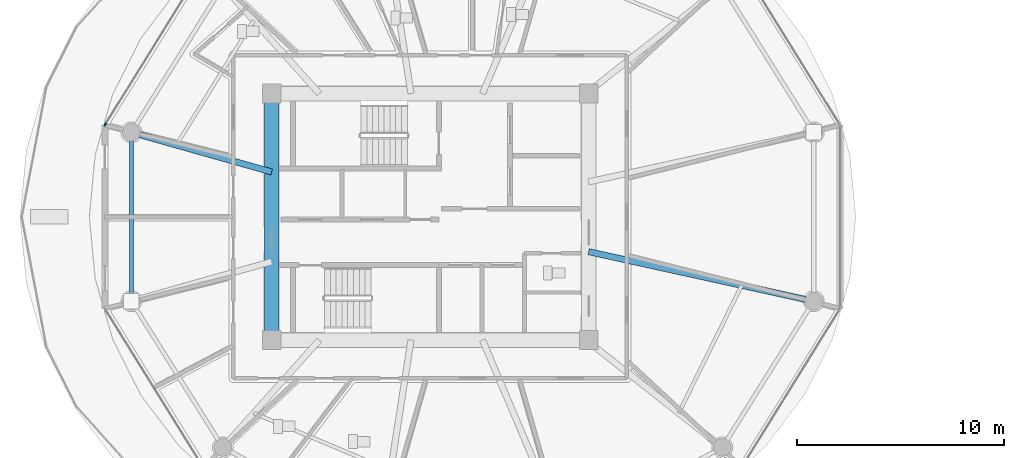
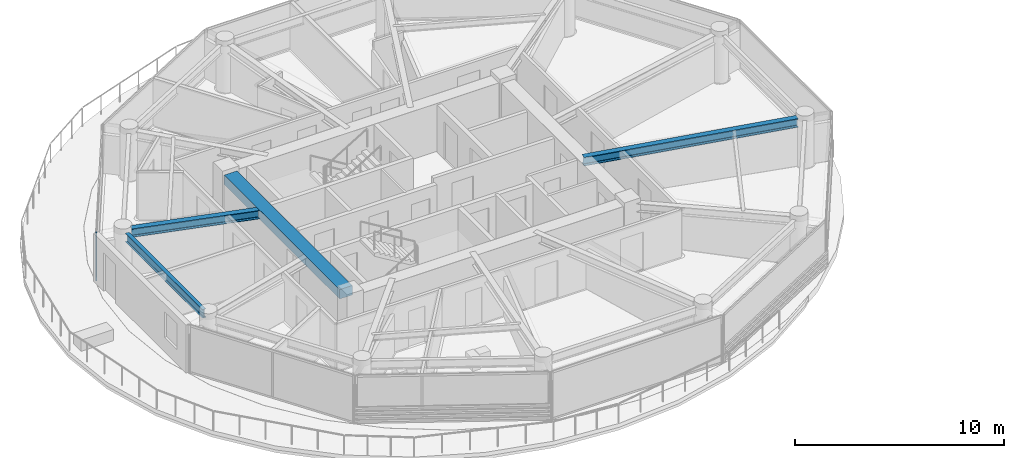
# One storey, part 3 of 32: 4 beams, 1 member, 1 element without a shape of its own.
"""IFC4 building model written with IfcOpenShell, lengths in metres."""

import ifcopenshell
import ifcopenshell.guid

model = None  # the IFC model being written
_history = None  # IfcOwnerHistory: only IFC2X3 demands one
_inside = {}  # id of a spatial element -> (the spatial element, [elements in it])
_under = {}  # id of a project, library or spatial element -> (it, [spatial elements below it])
_declared = {}  # id of a project -> (the project, [libraries it declares])
_typed = {}  # id of a type object -> (the type object, [elements of that type])
_made_of = {}  # id of a material, layer set ... -> (it, [elements and type objects made of it])


def new_model(schema):
    """Start an empty IFC model of exactly this schema.

    Asked for "IFC4X3", IfcOpenShell would pick the latest addendum, in which some entities
    have other attributes; the version numbers below select the first issue.
    IFC2X3 requires an IfcOwnerHistory on every rooted entity: one is made here for all.
    """
    global model, _history
    if schema == "IFC4X3":
        model = ifcopenshell.file(schema_version=(4, 3, 0, 0))
    else:
        model = ifcopenshell.file(schema=schema)
    _inside.clear()
    _under.clear()
    _declared.clear()
    _typed.clear()
    _made_of.clear()
    _history = None
    if model.schema == "IFC2X3":
        org = make("IfcOrganization", Name="unknown")
        user = make(
            "IfcPersonAndOrganization",
            ThePerson=make("IfcPerson", FamilyName="unknown"),
            TheOrganization=org,
        )
        app = make(
            "IfcApplication",
            ApplicationDeveloper=org,
            Version="unknown",
            ApplicationFullName="unknown",
            ApplicationIdentifier="unknown",
        )
        _history = make(
            "IfcOwnerHistory",
            OwningUser=user,
            OwningApplication=app,
            ChangeAction="ADDED",
            CreationDate=0,
        )
    return model


def make(cls, **values):
    """One entity of the class cls with the attributes given. An attribute that is None is left unset."""
    return model.create_entity(
        cls, **{name: value for name, value in values.items() if value is not None}
    )


def rooted(cls, **values):
    """An entity with a GlobalId (a new one), such as an element, a storey or a relation."""
    return make(cls, GlobalId=ifcopenshell.guid.new(), OwnerHistory=_history, **values)


def si_unit(unit_type, name, prefix=None):
    """IfcSIUnit, for example si_unit("LENGTHUNIT", "METRE", prefix="MILLI")."""
    return make("IfcSIUnit", UnitType=unit_type, Prefix=prefix, Name=name)


def assignment(units):
    """IfcUnitAssignment: the units of a project."""
    return None if units is None else make("IfcUnitAssignment", Units=units)


def point(xyz):
    """IfcCartesianPoint."""
    return None if xyz is None else make("IfcCartesianPoint", Coordinates=xyz)


def direction(xyz):
    """IfcDirection."""
    return None if xyz is None else make("IfcDirection", DirectionRatios=xyz)


def frame(location, z_axis=None, x_axis=None):
    """IfcAxis2Placement3D, a coordinate frame: its origin and axes. An axis left out is left unset."""
    return make(
        "IfcAxis2Placement3D",
        Location=point(location),
        Axis=direction(z_axis),
        RefDirection=direction(x_axis),
    )


def frame_2d(location, x_axis=None):
    """IfcAxis2Placement2D, a coordinate frame in the plane: its origin and x axis."""
    return make(
        "IfcAxis2Placement2D", Location=point(location), RefDirection=direction(x_axis)
    )


def origin():
    """The frame at (0, 0, 0) with its axes left unset."""
    return frame((0.0, 0.0, 0.0))


def origin_2d():
    """The frame at (0, 0) in the plane with its x axis left unset."""
    return frame_2d((0.0, 0.0))


def place(relative_to, where):
    """IfcLocalPlacement: puts the frame where relative to a parent placement (None: the world)."""
    return make(
        "IfcLocalPlacement", PlacementRelTo=relative_to, RelativePlacement=where
    )


def context(
    kind, dimensions, precision=None, world=None, true_north=None, identifier=None
):
    """IfcGeometricRepresentationContext, for example the 3D "Model" context."""
    return make(
        "IfcGeometricRepresentationContext",
        ContextIdentifier=identifier,
        ContextType=kind,
        CoordinateSpaceDimension=dimensions,
        Precision=precision,
        WorldCoordinateSystem=world,
        TrueNorth=true_north,
    )


def subcontext(parent, identifier, kind, view, scale=None):
    """IfcGeometricRepresentationSubContext, for example "Body" below "Model"."""
    return make(
        "IfcGeometricRepresentationSubContext",
        ContextIdentifier=identifier,
        ContextType=kind,
        ParentContext=parent,
        TargetScale=scale,
        TargetView=view,
    )


def project(units=None, contexts=None):
    """IfcProject with its units and contexts."""
    return rooted(
        "IfcProject",
        Name="project",
        RepresentationContexts=contexts,
        UnitsInContext=assignment(units),
    )


def spatial(cls, under=None, at=None, **own):
    """A site, building, storey or space (cls), placed at a placement, below another one or the project."""
    s = rooted(cls, ObjectPlacement=at, **own)
    if under is not None:
        _under.setdefault(under.id(), (under, []))[1].append(s)
    return s


def profile(cls, at=None, kind="AREA", **sizes):
    """A parametric profile (cls). Its sizes go by their IFC names, for example OverallWidth=200.0."""
    return make(cls, ProfileType=kind, Position=at, **sizes)


def rectangle(**sizes):
    """IfcRectangleProfileDef."""
    return profile("IfcRectangleProfileDef", **sizes)


def i_section(**sizes):
    """IfcIShapeProfileDef."""
    return profile("IfcIShapeProfileDef", **sizes)


def extrude(swept, where, along, depth):
    """IfcExtrudedAreaSolid: the profile swept, set in the frame where, extruded along a direction by depth."""
    return make(
        "IfcExtrudedAreaSolid",
        SweptArea=swept,
        Position=where,
        ExtrudedDirection=direction(along),
        Depth=depth,
    )


def shape(context_of_items, identifier, shape_type, items):
    """IfcShapeRepresentation: the items that make up one representation, for example the "Body"."""
    return make(
        "IfcShapeRepresentation",
        ContextOfItems=context_of_items,
        RepresentationIdentifier=identifier,
        RepresentationType=shape_type,
        Items=items,
    )


def source(mapping_origin, context_of_items, identifier, shape_type, items):
    """IfcRepresentationMap: a shape defined once, which mapped items show again and again."""
    return make(
        "IfcRepresentationMap",
        MappingOrigin=mapping_origin,
        MappedRepresentation=shape(context_of_items, identifier, shape_type, items),
    )


def transform(
    local_origin,
    x_axis=None,
    y_axis=None,
    z_axis=None,
    scale=None,
    scale2=None,
    scale3=None,
    uniform=True,
):
    """IfcCartesianTransformationOperator3D, or its non-uniform kind. x_axis, y_axis, z_axis: its Axis1, 2, 3."""
    if uniform:
        return make(
            "IfcCartesianTransformationOperator3D",
            Axis1=direction(x_axis),
            Axis2=direction(y_axis),
            LocalOrigin=point(local_origin),
            Scale=scale,
            Axis3=direction(z_axis),
        )
    return make(
        "IfcCartesianTransformationOperator3DnonUniform",
        Axis1=direction(x_axis),
        Axis2=direction(y_axis),
        LocalOrigin=point(local_origin),
        Scale=scale,
        Axis3=direction(z_axis),
        Scale2=scale2,
        Scale3=scale3,
    )


def mapped(mapping_source, mapping_target):
    """IfcMappedItem: shows the shape of a source again, moved by a transform."""
    return make(
        "IfcMappedItem", MappingSource=mapping_source, MappingTarget=mapping_target
    )


def material(Name=None, Category=None):
    """IfcMaterial."""
    return make("IfcMaterial", Name=Name, Category=Category)


def layer(
    of_material, thickness, ventilated=None, Name=None, Category=None, Priority=None
):
    """IfcMaterialLayer: one layer of a wall or slab, of a material (None: an air gap)."""
    return make(
        "IfcMaterialLayer",
        Material=of_material,
        LayerThickness=thickness,
        IsVentilated=ventilated,
        Name=Name,
        Category=Category,
        Priority=Priority,
    )


def layer_set(layers, Name=None):
    """IfcMaterialLayerSet."""
    return make("IfcMaterialLayerSet", MaterialLayers=layers, LayerSetName=Name)


def material_profile(
    of_material, cross_section, Name=None, Category=None, Priority=None
):
    """IfcMaterialProfile: a cross section and its material."""
    return make(
        "IfcMaterialProfile",
        Name=Name,
        Material=of_material,
        Profile=cross_section,
        Priority=Priority,
        Category=Category,
    )


def profile_set(profiles, Name=None, composite=None):
    """IfcMaterialProfileSet."""
    return make(
        "IfcMaterialProfileSet",
        Name=Name,
        MaterialProfiles=profiles,
        CompositeProfile=composite,
    )


def made_of(thing, what):
    """Note that an element or type object is made of a material, layer set ...; save() writes the relation."""
    if what is not None:
        _made_of.setdefault(what.id(), (what, []))[1].append(thing)
    return thing


def type_object(cls, material=None, **own):
    """A type object (cls), such as IfcWallType, which elements share."""
    return made_of(rooted(cls, **own), material)


def type_shapes(of_type, sources):
    """Give a type object the sources (RepresentationMaps) that its elements show as mapped items."""
    of_type.RepresentationMaps = sources


def element(
    cls,
    number,
    at=None,
    inside=None,
    cuts=None,
    type_object=None,
    material=None,
    context=None,
    identifier="Body",
    shape_type=None,
    held_by="IfcProductDefinitionShape",
    body=None,
    shapes=None,
    **own,
):
    """One element of the class cls, such as IfcWall. Its Tag is "e" and its number.

    at: its placement. inside: the storey or other place that contains it. cuts: it is an
    opening in that element (IfcRelVoidsElement). A single representation is given by context,
    identifier, shape_type and body (its items); several are given by shapes. held_by: the class
    of the entity that holds the representations. save() writes the other relations.
    """
    e = rooted(cls, Tag="e%d" % number, ObjectPlacement=at, **own)
    if body is not None:
        shapes = [shape(context, identifier, shape_type, body)]
    if shapes is not None:
        e.Representation = make(held_by, Representations=shapes)
    if inside is not None:
        _inside.setdefault(inside.id(), (inside, []))[1].append(e)
    if cuts is not None:
        rooted(
            "IfcRelVoidsElement", RelatingBuildingElement=cuts, RelatedOpeningElement=e
        )
    if type_object is not None:
        _typed.setdefault(type_object.id(), (type_object, []))[1].append(e)
    return made_of(e, material)


def aggregate(whole, parts):
    """IfcRelAggregates: a whole, such as a stair, and the parts it consists of."""
    return rooted("IfcRelAggregates", RelatingObject=whole, RelatedObjects=parts)


def save(model, path):
    """Write the relations noted so far, then the file.

    IfcRelAggregates (storeys below a building ...), IfcRelContainedInSpatialStructure (elements
    in a storey), IfcRelDefinesByType, IfcRelAssociatesMaterial and IfcRelDeclares: one each for
    every whole, place, type object, material and project.
    """
    for whole, parts in _under.values():
        aggregate(whole, parts)
    for where, things in _inside.values():
        rooted(
            "IfcRelContainedInSpatialStructure",
            RelatedElements=things,
            RelatingStructure=where,
        )
    for kind, things in _typed.values():
        rooted("IfcRelDefinesByType", RelatedObjects=things, RelatingType=kind)
    for what, things in _made_of.values():
        rooted("IfcRelAssociatesMaterial", RelatedObjects=things, RelatingMaterial=what)
    for by, libraries in _declared.values():
        rooted("IfcRelDeclares", RelatingContext=by, RelatedDefinitions=libraries)
    model.write(path)


model = new_model("IFC4")

# Units and contexts
model_context = context("Model", 3, precision=1e-05, world=origin(), true_north=direction((0.0, 1.0)))
body_context = subcontext(model_context, "Body", "Model", "MODEL_VIEW")
ifc_project = project(units=[si_unit("LENGTHUNIT", "METRE"), si_unit("AREAUNIT", "SQUARE_METRE"), si_unit("VOLUMEUNIT", "CUBIC_METRE"), si_unit("PLANEANGLEUNIT", "RADIAN"), si_unit("MASSUNIT", "GRAM", prefix="KILO")], contexts=[model_context])

# Site, building, storey
site_placement = place(None, origin())
site = spatial("IfcSite", under=ifc_project, at=site_placement, CompositionType="ELEMENT")
building_placement = place(site_placement, origin())
building = spatial("IfcBuilding", under=site, at=building_placement, Name="Norrkilde Senior Care Towers", CompositionType="ELEMENT")
storey_placement = place(building_placement, frame((0.0, 0.0, 77.949951171875)))
storey = spatial("IfcBuildingStorey", under=building, at=storey_placement, Name="L23", CompositionType="ELEMENT", Elevation=77.949951171875)

# Beams
ifc_material_1 = material(Name="Concrete C60/75", Category="concrete")
ifc_material_profile_1 = material_profile(ifc_material_1, rectangle(XDim=0.699951171875, YDim=0.550048828125, at=origin_2d()), Name="RC BM 700x550")
ifc_profile_set_1 = profile_set([ifc_material_profile_1], Name="Concrete C60/75")
beam_type_1 = type_object("IfcBeamType", Name="Core Portal Coupling Beam 700x550", PredefinedType="USERDEFINED", material=ifc_profile_set_1)
shared_shape_1 = source(origin(), body_context, "Body", "SweptSolid", [
    extrude(rectangle(XDim=0.699951171875, YDim=0.550048828125, at=origin_2d()), origin(), (0.0, 0.0, 1.0), 11.0400390625),
])
type_shapes(beam_type_1, [shared_shape_1])
beam_1_placement = place(storey_placement, frame((-35.64990234375, -5.52001953125, 2.51513671875), z_axis=(0.0, 1.0, 0.0), x_axis=(-1.0, 0.0, 0.0)))
element("IfcBeam", 1, at=beam_1_placement, inside=storey, type_object=beam_type_1, Name="L23 Core W W Coupling Girder", ObjectType="GIRDER", PredefinedType="USERDEFINED", context=body_context, shape_type="MappedRepresentation", body=[
    mapped(shared_shape_1, transform((0.0, 0.0, 0.0), x_axis=(1.0, 0.0, 0.0), y_axis=(0.0, 1.0, 0.0), z_axis=(0.0, 0.0, 1.0), scale=1.0)),
])
ifc_material_2 = material(Name="Steel S355", Category="steel")
ifc_material_profile_2 = material_profile(ifc_material_2, i_section(OverallWidth=0.300048828125, OverallDepth=0.5, WebThickness=0.014404296875, FlangeThickness=0.028076171875, FilletRadius=0.027099609375, at=origin_2d()), Name="HEB 500")
ifc_profile_set_2 = profile_set([ifc_material_profile_2], Name="Steel S355")
beam_type_2 = type_object("IfcBeamType", Name="Radial Floor Beam Z2 HEB500", PredefinedType="BEAM", material=ifc_profile_set_2)
shared_shape_2 = source(origin(), body_context, "Body", "SweptSolid", [
    extrude(i_section(OverallWidth=0.300048828125, OverallDepth=0.5, WebThickness=0.014404296875, FlangeThickness=0.028076171875, FilletRadius=0.027099609375, at=origin_2d()), origin(), (0.0, 0.0, 1.0), 10.744384765625),
])
beam_2_placement = place(storey_placement, frame((-20.35009765625, -1.683837890625, 2.5400390625), z_axis=(0.976618711422, -0.214978818724, 0.0), x_axis=(0.214978818724, 0.976618711422, 0.0)))
element("IfcBeam", 2, at=beam_2_placement, inside=storey, type_object=beam_type_2, Name="L23 Drum W Radial Floor Beam 12", PredefinedType="BEAM", context=body_context, shape_type="MappedRepresentation", body=[
    mapped(shared_shape_2, transform((0.0, 0.0, 0.0), x_axis=(1.0, 0.0, 0.0), y_axis=(0.0, 1.0, 0.0), z_axis=(0.0, 0.0, 1.0), scale=1.0)),
])
ifc_material_profile_3 = material_profile(ifc_material_2, i_section(OverallWidth=0.199951171875, OverallDepth=0.5, WebThickness=0.01025390625, FlangeThickness=0.01611328125, FilletRadius=0.02099609375, at=origin_2d()), Name="IPE 500")
ifc_profile_set_3 = profile_set([ifc_material_profile_3], Name="Steel S355")
beam_type_3 = type_object("IfcBeamType", Name="Perimeter Ring Spandrel Z2 IPE500", PredefinedType="SPANDREL", material=ifc_profile_set_3)
shared_shape_3 = source(origin(), body_context, "Body", "SweptSolid", [
    extrude(i_section(OverallWidth=0.199951171875, OverallDepth=0.5, WebThickness=0.01025390625, FlangeThickness=0.01611328125, FilletRadius=0.02099609375, at=origin_2d()), origin(), (0.0, 0.0, 1.0), 7.3828125),
])
type_shapes(beam_type_3, [shared_shape_3])
beam_3_placement = place(storey_placement, frame((-42.4189453125, 3.69140625, 2.5400390625), z_axis=(0.0, -1.0, 0.0), x_axis=(1.0, 0.0, 0.0)))
element("IfcBeam", 3, at=beam_3_placement, inside=storey, type_object=beam_type_3, Name="L23 Drum W Perimeter Spandrel 06", PredefinedType="SPANDREL", context=body_context, shape_type="MappedRepresentation", body=[
    mapped(shared_shape_3, transform((0.0, 0.0, 0.0), x_axis=(1.0, 0.0, 0.0), y_axis=(0.0, 1.0, 0.0), z_axis=(0.0, 0.0, 1.0), scale=1.0)),
])
shared_shape_4 = source(origin(), body_context, "Body", "SweptSolid", [
    extrude(i_section(OverallWidth=0.300048828125, OverallDepth=0.5, WebThickness=0.014404296875, FlangeThickness=0.028076171875, FilletRadius=0.027099609375, at=origin_2d()), origin(), (0.0, 0.0, 1.0), 6.6494140625),
])
type_shapes(beam_type_2, [shared_shape_2, shared_shape_4])
beam_4_placement = place(storey_placement, frame((-35.64990234375, 2.162841796875, 2.5400390625), z_axis=(-0.962289138357, 0.27202870106, 0.0), x_axis=(-0.27202870106, -0.962289138357, 0.0)))
element("IfcBeam", 4, at=beam_4_placement, inside=storey, type_object=beam_type_2, Name="L23 Drum W Radial Floor Beam 06", PredefinedType="BEAM", context=body_context, shape_type="MappedRepresentation", body=[
    mapped(shared_shape_4, transform((0.0, 0.0, 0.0), x_axis=(1.0, 0.0, 0.0), y_axis=(0.0, 1.0, 0.0), z_axis=(0.0, 0.0, 1.0), scale=1.0)),
])

# Curtain wall, member
ifc_material_3 = material(Name="Triple Low-E Insulated Glazing", Category="glass")
ifc_layer = layer(ifc_material_3, 0.195068359375)
ifc_layer_set = layer_set([ifc_layer], Name="Triple Low-E Insulated Glazing")
curtain_wall_type = type_object("IfcCurtainWallType", Name="CW3 Zone 2 Assisted Living Curtain Wall", PredefinedType="NOTDEFINED", material=ifc_layer_set)
curtain_wall_placement = place(storey_placement, origin())
curtain_wall = element("IfcCurtainWall", 5, at=curtain_wall_placement, inside=storey, type_object=curtain_wall_type, Name="L23 Drum W Curtain Wall 04", PredefinedType="NOTDEFINED")
ifc_material_4 = material(Name="Anodised Aluminium", Category="aluminium")
ifc_material_profile_4 = material_profile(ifc_material_4, rectangle(XDim=0.06494140625, YDim=0.159912109375, at=origin_2d()), Name="ALU MULL 65x160")
ifc_profile_set_4 = profile_set([ifc_material_profile_4], Name="Anodised Aluminium")
member_type = type_object("IfcMemberType", Name="Curtain Wall Mullion Z1-Z2 65x160", PredefinedType="MULLION", material=ifc_profile_set_4)
shared_shape_5 = source(origin(), body_context, "Body", "SweptSolid", [
    extrude(rectangle(XDim=0.06494140625, YDim=0.159912109375, at=origin_2d()), origin(), (0.0, 0.0, 1.0), 2.7900390625),
])
type_shapes(member_type, [shared_shape_5])
member_placement = place(storey_placement, frame((-43.6865234375, 4.4482421875, 0.0), z_axis=(0.0, 0.0, 1.0), x_axis=(-0.849410171862, 0.527733228002, 0.0)))
member = element("IfcMember", 6, at=member_placement, type_object=member_type, Name="CW-3 mullion 1", PredefinedType="MULLION", context=body_context, shape_type="MappedRepresentation", body=[
    mapped(shared_shape_5, transform((0.0, 0.0, 0.0), x_axis=(1.0, 0.0, 0.0), y_axis=(0.0, 1.0, 0.0), z_axis=(0.0, 0.0, 1.0), scale=1.0)),
])
aggregate(curtain_wall, [member])

save(model, "model.ifc")
